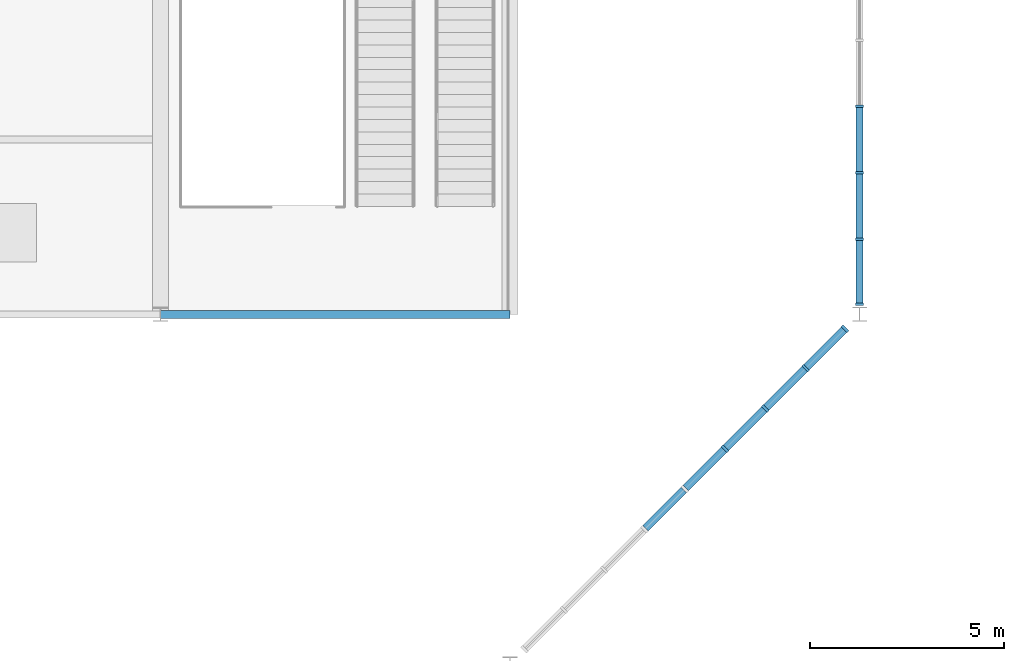
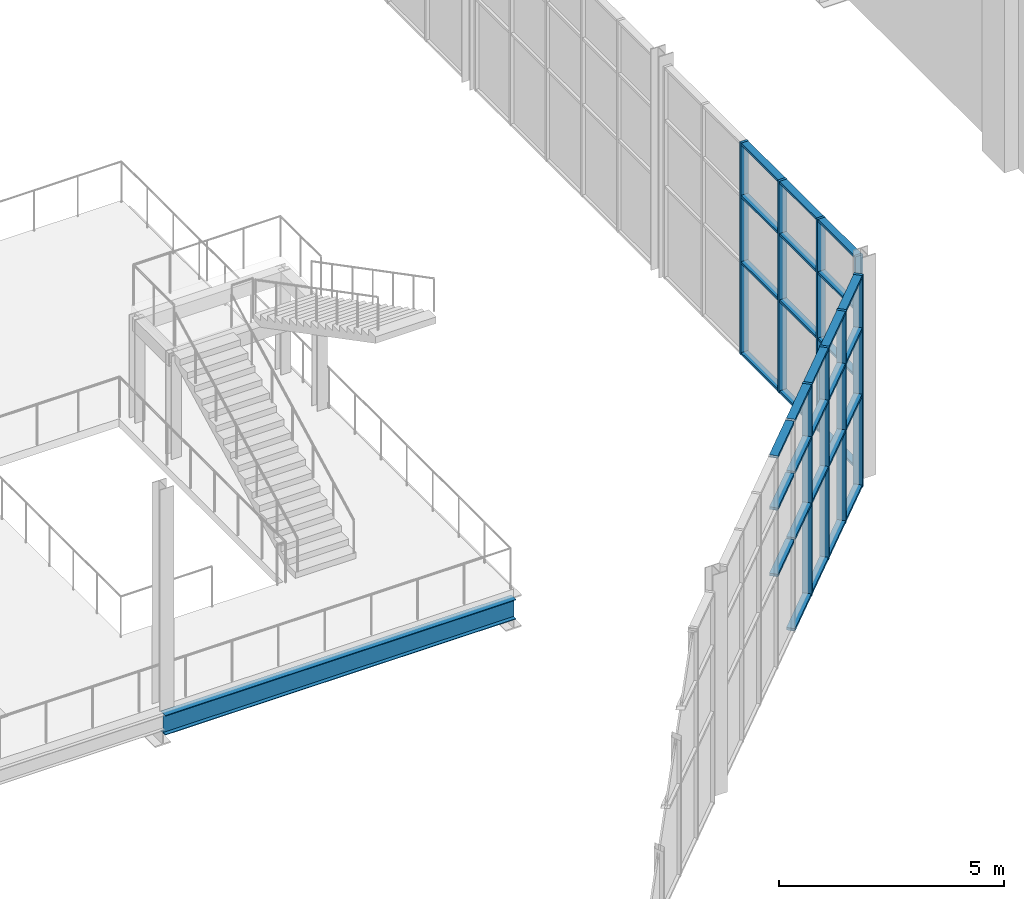
# One storey, part 29 of 159: 39 members, 1 beam, 2 elements without a shape of their own.
"""IFC4 building model written with IfcOpenShell, lengths in metres."""

from ifc_helpers import new_model, si_unit, direction, frame, origin, origin_2d, place, context, subcontext, project, spatial, rectangle, i_section, extrude, material, layer, layer_set, material_profile, profile_set, type_object, element, aggregate, save


model = new_model("IFC4")

# Units and contexts
model_context = context("Model", 3, precision=1e-05, world=origin(), true_north=direction((0.0, 1.0)))
body_context = subcontext(model_context, "Body", "Model", "MODEL_VIEW")
ifc_project = project(units=[si_unit("LENGTHUNIT", "METRE"), si_unit("AREAUNIT", "SQUARE_METRE"), si_unit("VOLUMEUNIT", "CUBIC_METRE"), si_unit("PLANEANGLEUNIT", "RADIAN"), si_unit("MASSUNIT", "GRAM", prefix="KILO")], contexts=[model_context])

# Site, building, storey
site_placement = place(None, origin())
site = spatial("IfcSite", under=ifc_project, at=site_placement, CompositionType="ELEMENT")
building_placement = place(site_placement, origin())
building = spatial("IfcBuilding", under=site, at=building_placement, Name="Cazmaro Siding Exhibition Halls", CompositionType="ELEMENT")
storey_placement = place(building_placement, frame((0.0, 0.0, 6.0)))
storey = spatial("IfcBuildingStorey", under=building, at=storey_placement, Name="L01", CompositionType="ELEMENT", Elevation=6.0)

# Beam
ifc_material_1 = material(Name="Steel ASTM A992 Grade 50", Category="steel")
ifc_material_profile_1 = material_profile(ifc_material_1, i_section(OverallWidth=0.2099609375, OverallDepth=0.535888671875, WebThickness=0.010986328125, FlangeThickness=0.01708984375, at=origin_2d()), Name="W21X68")
ifc_profile_set_1 = profile_set([ifc_material_profile_1], Name="Steel ASTM A992 Grade 50")
beam_type = type_object("IfcBeamType", Name="B-02", PredefinedType="BEAM", material=ifc_profile_set_1)
beam_placement = place(storey_placement, frame((45.0, 27.0, -0.488037109375), z_axis=(1.0, 0.0, 0.0), x_axis=(0.0, 1.0, 0.0)))
element("IfcBeam", 1, at=beam_placement, inside=storey, type_object=beam_type, Name="Beam B-02 BM-1779", PredefinedType="BEAM", context=body_context, shape_type="SweptSolid", body=[
    extrude(i_section(OverallWidth=0.2099609375, OverallDepth=0.535888671875, WebThickness=0.010986328125, FlangeThickness=0.01708984375, at=origin_2d()), origin(), (0.0, 0.0, 1.0), 9.0),
])

# Curtain wall, members
ifc_material_2 = material(Name="Anodized Bronze Aluminum and Solar-Control Low-E Glazing", Category="aluminium")
ifc_layer_1 = layer(ifc_material_2, 0.199951171875)
ifc_layer_set_1 = layer_set([ifc_layer_1], Name="Anodized Bronze Aluminum and Solar-Control Low-E Glazing")
curtain_wall_type_1 = type_object("IfcCurtainWallType", Name="CWS-02", PredefinedType="USERDEFINED", material=ifc_layer_set_1)
curtain_wall_1_placement = place(storey_placement, origin())
curtain_wall_1 = element("IfcCurtainWall", 2, at=curtain_wall_1_placement, inside=storey, type_object=curtain_wall_type_1, Name="Glazed Curtain Wall CWS-02 CW-217", ObjectType="GLAZED CURTAIN WALL", PredefinedType="USERDEFINED")
ifc_material_3 = material(Name="Anodized Bronze Extruded Aluminum", Category="aluminium")
ifc_material_profile_2 = material_profile(ifc_material_3, rectangle(XDim=0.199951171875, YDim=0.06494140625, at=origin_2d()), Name="CWM-02")
ifc_profile_set_2 = profile_set([ifc_material_profile_2], Name="Anodized Bronze Extruded Aluminum")
member_type_1 = type_object("IfcMemberType", Name="CWM-02", PredefinedType="MULLION", material=ifc_profile_set_2)
member_1_placement = place(storey_placement, frame((63.0, 27.263427734375, 0.0), z_axis=(0.0, 0.0, 1.0), x_axis=(-1.0, 0.0, 0.0)))
member_1 = element("IfcMember", 3, at=member_1_placement, type_object=member_type_1, Name="CWS-02 mullion 1", PredefinedType="MULLION", context=body_context, shape_type="SweptSolid", body=[
    extrude(rectangle(XDim=0.199951171875, YDim=0.06494140625, at=origin_2d()), origin(), (0.0, 0.0, 1.0), 5.75),
])
member_2_placement = place(storey_placement, frame((63.0, 28.938720703125, 0.0), z_axis=(0.0, 0.0, 1.0), x_axis=(-1.0, 0.0, 0.0)))
member_2 = element("IfcMember", 4, at=member_2_placement, type_object=member_type_1, Name="CWS-02 mullion 2", PredefinedType="MULLION", context=body_context, shape_type="SweptSolid", body=[
    extrude(rectangle(XDim=0.199951171875, YDim=0.06494140625, at=origin_2d()), origin(), (0.0, 0.0, 1.0), 5.75),
])
member_3_placement = place(storey_placement, frame((63.0, 30.646240234375, 0.0), z_axis=(0.0, 0.0, 1.0), x_axis=(-1.0, 0.0, 0.0)))
member_3 = element("IfcMember", 5, at=member_3_placement, type_object=member_type_1, Name="CWS-02 mullion 3", PredefinedType="MULLION", context=body_context, shape_type="SweptSolid", body=[
    extrude(rectangle(XDim=0.199951171875, YDim=0.06494140625, at=origin_2d()), origin(), (0.0, 0.0, 1.0), 5.75),
])
member_4_placement = place(storey_placement, frame((63.0, 32.353759765625, 0.0), z_axis=(0.0, 0.0, 1.0), x_axis=(-1.0, 0.0, 0.0)))
member_4 = element("IfcMember", 6, at=member_4_placement, type_object=member_type_1, Name="CWS-02 mullion 4", PredefinedType="MULLION", context=body_context, shape_type="SweptSolid", body=[
    extrude(rectangle(XDim=0.199951171875, YDim=0.06494140625, at=origin_2d()), origin(), (0.0, 0.0, 1.0), 5.75),
])

ifc_material_4 = material(Name="Anodized Bronze Aluminum and Solar-Control Low-E Glazing", Category="aluminium")
ifc_layer_2 = layer(ifc_material_4, 0.219970703125)
ifc_layer_set_2 = layer_set([ifc_layer_2], Name="Anodized Bronze Aluminum and Solar-Control Low-E Glazing")
curtain_wall_type_2 = type_object("IfcCurtainWallType", Name="CWS-03", PredefinedType="USERDEFINED", material=ifc_layer_set_2)
curtain_wall_2_placement = place(storey_placement, origin())
curtain_wall_2 = element("IfcCurtainWall", 7, at=curtain_wall_2_placement, inside=storey, type_object=curtain_wall_type_2, Name="Glazed Curtain Wall CWS-03 CW-215", ObjectType="GLAZED CURTAIN WALL", PredefinedType="USERDEFINED")
ifc_material_5 = material(Name="Anodized Bronze Extruded Aluminum", Category="aluminium")
ifc_material_profile_3 = material_profile(ifc_material_5, rectangle(XDim=0.219970703125, YDim=0.070068359375, at=origin_2d()), Name="CWM-03")
ifc_profile_set_3 = profile_set([ifc_material_profile_3], Name="Anodized Bronze Extruded Aluminum")
member_type_2 = type_object("IfcMemberType", Name="CWM-03", PredefinedType="MULLION", material=ifc_profile_set_3)
member_5_placement = place(storey_placement, frame((59.53759765625, 23.53759765625, 0.0), z_axis=(0.0, 0.0, 1.0), x_axis=(-0.707106781187, 0.707106781187, 0.0)))
member_5 = element("IfcMember", 8, at=member_5_placement, type_object=member_type_2, Name="CWS-03 mullion 6", PredefinedType="MULLION", context=body_context, shape_type="SweptSolid", body=[
    extrude(rectangle(XDim=0.219970703125, YDim=0.070068359375, at=origin_2d()), origin(), (0.0, 0.0, 1.0), 5.75),
])
member_6_placement = place(storey_placement, frame((60.574951171875, 24.574951171875, 0.0), z_axis=(0.0, 0.0, 1.0), x_axis=(-0.707106781187, 0.707106781187, 0.0)))
member_6 = element("IfcMember", 9, at=member_6_placement, type_object=member_type_2, Name="CWS-03 mullion 7", PredefinedType="MULLION", context=body_context, shape_type="SweptSolid", body=[
    extrude(rectangle(XDim=0.219970703125, YDim=0.070068359375, at=origin_2d()), origin(), (0.0, 0.0, 1.0), 5.75),
])
member_7_placement = place(storey_placement, frame((61.612548828125, 25.612548828125, 0.0), z_axis=(0.0, 0.0, 1.0), x_axis=(-0.707106781187, 0.707106781187, 0.0)))
member_7 = element("IfcMember", 10, at=member_7_placement, type_object=member_type_2, Name="CWS-03 mullion 8", PredefinedType="MULLION", context=body_context, shape_type="SweptSolid", body=[
    extrude(rectangle(XDim=0.219970703125, YDim=0.070068359375, at=origin_2d()), origin(), (0.0, 0.0, 1.0), 5.75),
])
member_8_placement = place(storey_placement, frame((62.625244140625, 26.625244140625, 0.0), z_axis=(0.0, 0.0, 1.0), x_axis=(-0.707106781187, 0.707106781187, 0.0)))
member_8 = element("IfcMember", 11, at=member_8_placement, type_object=member_type_2, Name="CWS-03 mullion 9", PredefinedType="MULLION", context=body_context, shape_type="SweptSolid", body=[
    extrude(rectangle(XDim=0.219970703125, YDim=0.070068359375, at=origin_2d()), origin(), (0.0, 0.0, 1.0), 5.75),
])

# Member
ifc_material_6 = material(Name="Anodized Bronze Extruded Aluminum", Category="aluminium")
ifc_material_profile_4 = material_profile(ifc_material_6, rectangle(XDim=0.179931640625, YDim=0.06494140625, at=origin_2d()), Name="CWT-02")
ifc_profile_set_4 = profile_set([ifc_material_profile_4], Name="Anodized Bronze Extruded Aluminum")
member_type_3 = type_object("IfcMemberType", Name="CWT-02", PredefinedType="MULLION", material=ifc_profile_set_4)
member_9_placement = place(storey_placement, frame((63.0, 27.2958984375, 0.032470703125), z_axis=(0.0, 1.0, 0.0), x_axis=(-1.0, 0.0, 0.0)))
member_9 = element("IfcMember", 12, at=member_9_placement, type_object=member_type_3, Name="CWS-02 transom 1.1", ObjectType="TRANSOM", PredefinedType="USERDEFINED", context=body_context, shape_type="SweptSolid", body=[
    extrude(rectangle(XDim=0.179931640625, YDim=0.06494140625, at=origin_2d()), origin(), (0.0, 0.0, 1.0), 1.610107421875),
])

member_10_placement = place(storey_placement, frame((63.0, 27.2958984375, 2.5), z_axis=(0.0, 1.0, 0.0), x_axis=(-1.0, 0.0, 0.0)))
member_10 = element("IfcMember", 13, at=member_10_placement, type_object=member_type_3, Name="CWS-02 transom 1.2", ObjectType="TRANSOM", PredefinedType="USERDEFINED", context=body_context, shape_type="SweptSolid", body=[
    extrude(rectangle(XDim=0.179931640625, YDim=0.06494140625, at=origin_2d()), origin(), (0.0, 0.0, 1.0), 1.610107421875),
])

member_11_placement = place(storey_placement, frame((63.0, 27.2958984375, 4.300048828125), z_axis=(0.0, 1.0, 0.0), x_axis=(-1.0, 0.0, 0.0)))
member_11 = element("IfcMember", 14, at=member_11_placement, type_object=member_type_3, Name="CWS-02 transom 1.3", ObjectType="TRANSOM", PredefinedType="USERDEFINED", context=body_context, shape_type="SweptSolid", body=[
    extrude(rectangle(XDim=0.179931640625, YDim=0.06494140625, at=origin_2d()), origin(), (0.0, 0.0, 1.0), 1.610107421875),
])

member_12_placement = place(storey_placement, frame((63.0, 27.2958984375, 5.717529296875), z_axis=(0.0, 1.0, 0.0), x_axis=(-1.0, 0.0, 0.0)))
member_12 = element("IfcMember", 15, at=member_12_placement, type_object=member_type_3, Name="CWS-02 transom 1.4", ObjectType="TRANSOM", PredefinedType="USERDEFINED", context=body_context, shape_type="SweptSolid", body=[
    extrude(rectangle(XDim=0.179931640625, YDim=0.06494140625, at=origin_2d()), origin(), (0.0, 0.0, 1.0), 1.610107421875),
])

member_13_placement = place(storey_placement, frame((63.0, 28.97119140625, 0.032470703125), z_axis=(0.0, 1.0, 0.0), x_axis=(-1.0, 0.0, 0.0)))
member_13 = element("IfcMember", 16, at=member_13_placement, type_object=member_type_3, Name="CWS-02 transom 2.1", ObjectType="TRANSOM", PredefinedType="USERDEFINED", context=body_context, shape_type="SweptSolid", body=[
    extrude(rectangle(XDim=0.179931640625, YDim=0.06494140625, at=origin_2d()), origin(), (0.0, 0.0, 1.0), 1.642578125),
])

member_14_placement = place(storey_placement, frame((63.0, 28.97119140625, 2.5), z_axis=(0.0, 1.0, 0.0), x_axis=(-1.0, 0.0, 0.0)))
member_14 = element("IfcMember", 17, at=member_14_placement, type_object=member_type_3, Name="CWS-02 transom 2.2", ObjectType="TRANSOM", PredefinedType="USERDEFINED", context=body_context, shape_type="SweptSolid", body=[
    extrude(rectangle(XDim=0.179931640625, YDim=0.06494140625, at=origin_2d()), origin(), (0.0, 0.0, 1.0), 1.642578125),
])

member_15_placement = place(storey_placement, frame((63.0, 28.97119140625, 4.300048828125), z_axis=(0.0, 1.0, 0.0), x_axis=(-1.0, 0.0, 0.0)))
member_15 = element("IfcMember", 18, at=member_15_placement, type_object=member_type_3, Name="CWS-02 transom 2.3", ObjectType="TRANSOM", PredefinedType="USERDEFINED", context=body_context, shape_type="SweptSolid", body=[
    extrude(rectangle(XDim=0.179931640625, YDim=0.06494140625, at=origin_2d()), origin(), (0.0, 0.0, 1.0), 1.642578125),
])

member_16_placement = place(storey_placement, frame((63.0, 28.97119140625, 5.717529296875), z_axis=(0.0, 1.0, 0.0), x_axis=(-1.0, 0.0, 0.0)))
member_16 = element("IfcMember", 19, at=member_16_placement, type_object=member_type_3, Name="CWS-02 transom 2.4", ObjectType="TRANSOM", PredefinedType="USERDEFINED", context=body_context, shape_type="SweptSolid", body=[
    extrude(rectangle(XDim=0.179931640625, YDim=0.06494140625, at=origin_2d()), origin(), (0.0, 0.0, 1.0), 1.642578125),
])

member_17_placement = place(storey_placement, frame((63.0, 30.6787109375, 0.032470703125), z_axis=(0.0, 1.0, 0.0), x_axis=(-1.0, 0.0, 0.0)))
member_17 = element("IfcMember", 20, at=member_17_placement, type_object=member_type_3, Name="CWS-02 transom 3.1", ObjectType="TRANSOM", PredefinedType="USERDEFINED", context=body_context, shape_type="SweptSolid", body=[
    extrude(rectangle(XDim=0.179931640625, YDim=0.06494140625, at=origin_2d()), origin(), (0.0, 0.0, 1.0), 1.642578125),
])

member_18_placement = place(storey_placement, frame((63.0, 30.6787109375, 2.5), z_axis=(0.0, 1.0, 0.0), x_axis=(-1.0, 0.0, 0.0)))
member_18 = element("IfcMember", 21, at=member_18_placement, type_object=member_type_3, Name="CWS-02 transom 3.2", ObjectType="TRANSOM", PredefinedType="USERDEFINED", context=body_context, shape_type="SweptSolid", body=[
    extrude(rectangle(XDim=0.179931640625, YDim=0.06494140625, at=origin_2d()), origin(), (0.0, 0.0, 1.0), 1.642578125),
])

member_19_placement = place(storey_placement, frame((63.0, 30.6787109375, 4.300048828125), z_axis=(0.0, 1.0, 0.0), x_axis=(-1.0, 0.0, 0.0)))
member_19 = element("IfcMember", 22, at=member_19_placement, type_object=member_type_3, Name="CWS-02 transom 3.3", ObjectType="TRANSOM", PredefinedType="USERDEFINED", context=body_context, shape_type="SweptSolid", body=[
    extrude(rectangle(XDim=0.179931640625, YDim=0.06494140625, at=origin_2d()), origin(), (0.0, 0.0, 1.0), 1.642578125),
])

member_20_placement = place(storey_placement, frame((63.0, 30.6787109375, 5.717529296875), z_axis=(0.0, 1.0, 0.0), x_axis=(-1.0, 0.0, 0.0)))
member_20 = element("IfcMember", 23, at=member_20_placement, type_object=member_type_3, Name="CWS-02 transom 3.4", ObjectType="TRANSOM", PredefinedType="USERDEFINED", context=body_context, shape_type="SweptSolid", body=[
    extrude(rectangle(XDim=0.179931640625, YDim=0.06494140625, at=origin_2d()), origin(), (0.0, 0.0, 1.0), 1.642578125),
])

aggregate(curtain_wall_1, [member_1, member_2, member_3, member_4, member_9, member_10, member_11, member_12, member_13, member_14, member_15, member_16, member_17, member_18, member_19, member_20])

ifc_material_7 = material(Name="Anodized Bronze Extruded Aluminum", Category="aluminium")
ifc_material_profile_5 = material_profile(ifc_material_7, rectangle(XDim=0.199951171875, YDim=0.070068359375, at=origin_2d()), Name="CWT-03")
ifc_profile_set_5 = profile_set([ifc_material_profile_5], Name="Anodized Bronze Extruded Aluminum")
member_type_4 = type_object("IfcMemberType", Name="CWT-03", PredefinedType="MULLION", material=ifc_profile_set_5)
member_21_placement = place(storey_placement, frame((57.4873046875, 21.4873046875, 2.5), z_axis=(0.707106781187, 0.707106781187, 0.0), x_axis=(-0.707106781187, 0.707106781187, 0.0)))
member_21 = element("IfcMember", 24, at=member_21_placement, type_object=member_type_4, Name="CWS-03 transom 4.2", ObjectType="TRANSOM", PredefinedType="USERDEFINED", context=body_context, shape_type="SweptSolid", body=[
    extrude(rectangle(XDim=0.199951171875, YDim=0.070068359375, at=origin_2d()), origin(), (0.0, 0.0, 1.0), 1.397216796875),
])

member_22_placement = place(storey_placement, frame((57.4873046875, 21.4873046875, 4.300048828125), z_axis=(0.707106781187, 0.707106781187, 0.0), x_axis=(-0.707106781187, 0.707106781187, 0.0)))
member_22 = element("IfcMember", 25, at=member_22_placement, type_object=member_type_4, Name="CWS-03 transom 4.3", ObjectType="TRANSOM", PredefinedType="USERDEFINED", context=body_context, shape_type="SweptSolid", body=[
    extrude(rectangle(XDim=0.199951171875, YDim=0.070068359375, at=origin_2d()), origin(), (0.0, 0.0, 1.0), 1.397216796875),
])

member_23_placement = place(storey_placement, frame((57.4873046875, 21.4873046875, 5.715087890625), z_axis=(0.707106781187, 0.707106781187, 0.0), x_axis=(-0.707106781187, 0.707106781187, 0.0)))
member_23 = element("IfcMember", 26, at=member_23_placement, type_object=member_type_4, Name="CWS-03 transom 4.4", ObjectType="TRANSOM", PredefinedType="USERDEFINED", context=body_context, shape_type="SweptSolid", body=[
    extrude(rectangle(XDim=0.199951171875, YDim=0.070068359375, at=origin_2d()), origin(), (0.0, 0.0, 1.0), 1.397216796875),
])

member_24_placement = place(storey_placement, frame((58.524658203125, 22.524658203125, 0.034912109375), z_axis=(0.707106781187, 0.707106781187, 0.0), x_axis=(-0.707106781187, 0.707106781187, 0.0)))
member_24 = element("IfcMember", 27, at=member_24_placement, type_object=member_type_4, Name="CWS-03 transom 5.1", ObjectType="TRANSOM", PredefinedType="USERDEFINED", context=body_context, shape_type="SweptSolid", body=[
    extrude(rectangle(XDim=0.199951171875, YDim=0.070068359375, at=origin_2d()), origin(), (0.0, 0.0, 1.0), 1.397216796875),
])

member_25_placement = place(storey_placement, frame((58.524658203125, 22.524658203125, 2.5), z_axis=(0.707106781187, 0.707106781187, 0.0), x_axis=(-0.707106781187, 0.707106781187, 0.0)))
member_25 = element("IfcMember", 28, at=member_25_placement, type_object=member_type_4, Name="CWS-03 transom 5.2", ObjectType="TRANSOM", PredefinedType="USERDEFINED", context=body_context, shape_type="SweptSolid", body=[
    extrude(rectangle(XDim=0.199951171875, YDim=0.070068359375, at=origin_2d()), origin(), (0.0, 0.0, 1.0), 1.397216796875),
])

member_26_placement = place(storey_placement, frame((58.524658203125, 22.524658203125, 4.300048828125), z_axis=(0.707106781187, 0.707106781187, 0.0), x_axis=(-0.707106781187, 0.707106781187, 0.0)))
member_26 = element("IfcMember", 29, at=member_26_placement, type_object=member_type_4, Name="CWS-03 transom 5.3", ObjectType="TRANSOM", PredefinedType="USERDEFINED", context=body_context, shape_type="SweptSolid", body=[
    extrude(rectangle(XDim=0.199951171875, YDim=0.070068359375, at=origin_2d()), origin(), (0.0, 0.0, 1.0), 1.397216796875),
])

member_27_placement = place(storey_placement, frame((58.524658203125, 22.524658203125, 5.715087890625), z_axis=(0.707106781187, 0.707106781187, 0.0), x_axis=(-0.707106781187, 0.707106781187, 0.0)))
member_27 = element("IfcMember", 30, at=member_27_placement, type_object=member_type_4, Name="CWS-03 transom 5.4", ObjectType="TRANSOM", PredefinedType="USERDEFINED", context=body_context, shape_type="SweptSolid", body=[
    extrude(rectangle(XDim=0.199951171875, YDim=0.070068359375, at=origin_2d()), origin(), (0.0, 0.0, 1.0), 1.397216796875),
])

member_28_placement = place(storey_placement, frame((59.562255859375, 23.562255859375, 0.034912109375), z_axis=(0.707106781187, 0.707106781187, 0.0), x_axis=(-0.707106781187, 0.707106781187, 0.0)))
member_28 = element("IfcMember", 31, at=member_28_placement, type_object=member_type_4, Name="CWS-03 transom 6.1", ObjectType="TRANSOM", PredefinedType="USERDEFINED", context=body_context, shape_type="SweptSolid", body=[
    extrude(rectangle(XDim=0.199951171875, YDim=0.070068359375, at=origin_2d()), origin(), (0.0, 0.0, 1.0), 1.397216796875),
])

member_29_placement = place(storey_placement, frame((59.562255859375, 23.562255859375, 2.5), z_axis=(0.707106781187, 0.707106781187, 0.0), x_axis=(-0.707106781187, 0.707106781187, 0.0)))
member_29 = element("IfcMember", 32, at=member_29_placement, type_object=member_type_4, Name="CWS-03 transom 6.2", ObjectType="TRANSOM", PredefinedType="USERDEFINED", context=body_context, shape_type="SweptSolid", body=[
    extrude(rectangle(XDim=0.199951171875, YDim=0.070068359375, at=origin_2d()), origin(), (0.0, 0.0, 1.0), 1.397216796875),
])

member_30_placement = place(storey_placement, frame((59.562255859375, 23.562255859375, 4.300048828125), z_axis=(0.707106781187, 0.707106781187, 0.0), x_axis=(-0.707106781187, 0.707106781187, 0.0)))
member_30 = element("IfcMember", 33, at=member_30_placement, type_object=member_type_4, Name="CWS-03 transom 6.3", ObjectType="TRANSOM", PredefinedType="USERDEFINED", context=body_context, shape_type="SweptSolid", body=[
    extrude(rectangle(XDim=0.199951171875, YDim=0.070068359375, at=origin_2d()), origin(), (0.0, 0.0, 1.0), 1.397216796875),
])

member_31_placement = place(storey_placement, frame((59.562255859375, 23.562255859375, 5.715087890625), z_axis=(0.707106781187, 0.707106781187, 0.0), x_axis=(-0.707106781187, 0.707106781187, 0.0)))
member_31 = element("IfcMember", 34, at=member_31_placement, type_object=member_type_4, Name="CWS-03 transom 6.4", ObjectType="TRANSOM", PredefinedType="USERDEFINED", context=body_context, shape_type="SweptSolid", body=[
    extrude(rectangle(XDim=0.199951171875, YDim=0.070068359375, at=origin_2d()), origin(), (0.0, 0.0, 1.0), 1.397216796875),
])

member_32_placement = place(storey_placement, frame((60.599853515625, 24.599853515625, 0.034912109375), z_axis=(0.707106781187, 0.707106781187, 0.0), x_axis=(-0.707106781187, 0.707106781187, 0.0)))
member_32 = element("IfcMember", 35, at=member_32_placement, type_object=member_type_4, Name="CWS-03 transom 7.1", ObjectType="TRANSOM", PredefinedType="USERDEFINED", context=body_context, shape_type="SweptSolid", body=[
    extrude(rectangle(XDim=0.199951171875, YDim=0.070068359375, at=origin_2d()), origin(), (0.0, 0.0, 1.0), 1.39697265625),
])

member_33_placement = place(storey_placement, frame((60.599853515625, 24.599853515625, 2.5), z_axis=(0.707106781187, 0.707106781187, 0.0), x_axis=(-0.707106781187, 0.707106781187, 0.0)))
member_33 = element("IfcMember", 36, at=member_33_placement, type_object=member_type_4, Name="CWS-03 transom 7.2", ObjectType="TRANSOM", PredefinedType="USERDEFINED", context=body_context, shape_type="SweptSolid", body=[
    extrude(rectangle(XDim=0.199951171875, YDim=0.070068359375, at=origin_2d()), origin(), (0.0, 0.0, 1.0), 1.39697265625),
])

member_34_placement = place(storey_placement, frame((60.599853515625, 24.599853515625, 4.300048828125), z_axis=(0.707106781187, 0.707106781187, 0.0), x_axis=(-0.707106781187, 0.707106781187, 0.0)))
member_34 = element("IfcMember", 37, at=member_34_placement, type_object=member_type_4, Name="CWS-03 transom 7.3", ObjectType="TRANSOM", PredefinedType="USERDEFINED", context=body_context, shape_type="SweptSolid", body=[
    extrude(rectangle(XDim=0.199951171875, YDim=0.070068359375, at=origin_2d()), origin(), (0.0, 0.0, 1.0), 1.39697265625),
])

member_35_placement = place(storey_placement, frame((60.599853515625, 24.599853515625, 5.715087890625), z_axis=(0.707106781187, 0.707106781187, 0.0), x_axis=(-0.707106781187, 0.707106781187, 0.0)))
member_35 = element("IfcMember", 38, at=member_35_placement, type_object=member_type_4, Name="CWS-03 transom 7.4", ObjectType="TRANSOM", PredefinedType="USERDEFINED", context=body_context, shape_type="SweptSolid", body=[
    extrude(rectangle(XDim=0.199951171875, YDim=0.070068359375, at=origin_2d()), origin(), (0.0, 0.0, 1.0), 1.39697265625),
])

member_36_placement = place(storey_placement, frame((61.63720703125, 25.63720703125, 0.034912109375), z_axis=(0.707106781187, 0.707106781187, 0.0), x_axis=(-0.707106781187, 0.707106781187, 0.0)))
member_36 = element("IfcMember", 39, at=member_36_placement, type_object=member_type_4, Name="CWS-03 transom 8.1", ObjectType="TRANSOM", PredefinedType="USERDEFINED", context=body_context, shape_type="SweptSolid", body=[
    extrude(rectangle(XDim=0.199951171875, YDim=0.070068359375, at=origin_2d()), origin(), (0.0, 0.0, 1.0), 1.3623046875),
])

member_37_placement = place(storey_placement, frame((61.63720703125, 25.63720703125, 2.5), z_axis=(0.707106781187, 0.707106781187, 0.0), x_axis=(-0.707106781187, 0.707106781187, 0.0)))
member_37 = element("IfcMember", 40, at=member_37_placement, type_object=member_type_4, Name="CWS-03 transom 8.2", ObjectType="TRANSOM", PredefinedType="USERDEFINED", context=body_context, shape_type="SweptSolid", body=[
    extrude(rectangle(XDim=0.199951171875, YDim=0.070068359375, at=origin_2d()), origin(), (0.0, 0.0, 1.0), 1.3623046875),
])

member_38_placement = place(storey_placement, frame((61.63720703125, 25.63720703125, 4.300048828125), z_axis=(0.707106781187, 0.707106781187, 0.0), x_axis=(-0.707106781187, 0.707106781187, 0.0)))
member_38 = element("IfcMember", 41, at=member_38_placement, type_object=member_type_4, Name="CWS-03 transom 8.3", ObjectType="TRANSOM", PredefinedType="USERDEFINED", context=body_context, shape_type="SweptSolid", body=[
    extrude(rectangle(XDim=0.199951171875, YDim=0.070068359375, at=origin_2d()), origin(), (0.0, 0.0, 1.0), 1.3623046875),
])

member_39_placement = place(storey_placement, frame((61.63720703125, 25.63720703125, 5.715087890625), z_axis=(0.707106781187, 0.707106781187, 0.0), x_axis=(-0.707106781187, 0.707106781187, 0.0)))
member_39 = element("IfcMember", 42, at=member_39_placement, type_object=member_type_4, Name="CWS-03 transom 8.4", ObjectType="TRANSOM", PredefinedType="USERDEFINED", context=body_context, shape_type="SweptSolid", body=[
    extrude(rectangle(XDim=0.199951171875, YDim=0.070068359375, at=origin_2d()), origin(), (0.0, 0.0, 1.0), 1.3623046875),
])

aggregate(curtain_wall_2, [member_5, member_6, member_7, member_8, member_21, member_22, member_23, member_24, member_25, member_26, member_27, member_28, member_29, member_30, member_31, member_32, member_33, member_34, member_35, member_36, member_37, member_38, member_39])

save(model, "model.ifc")
